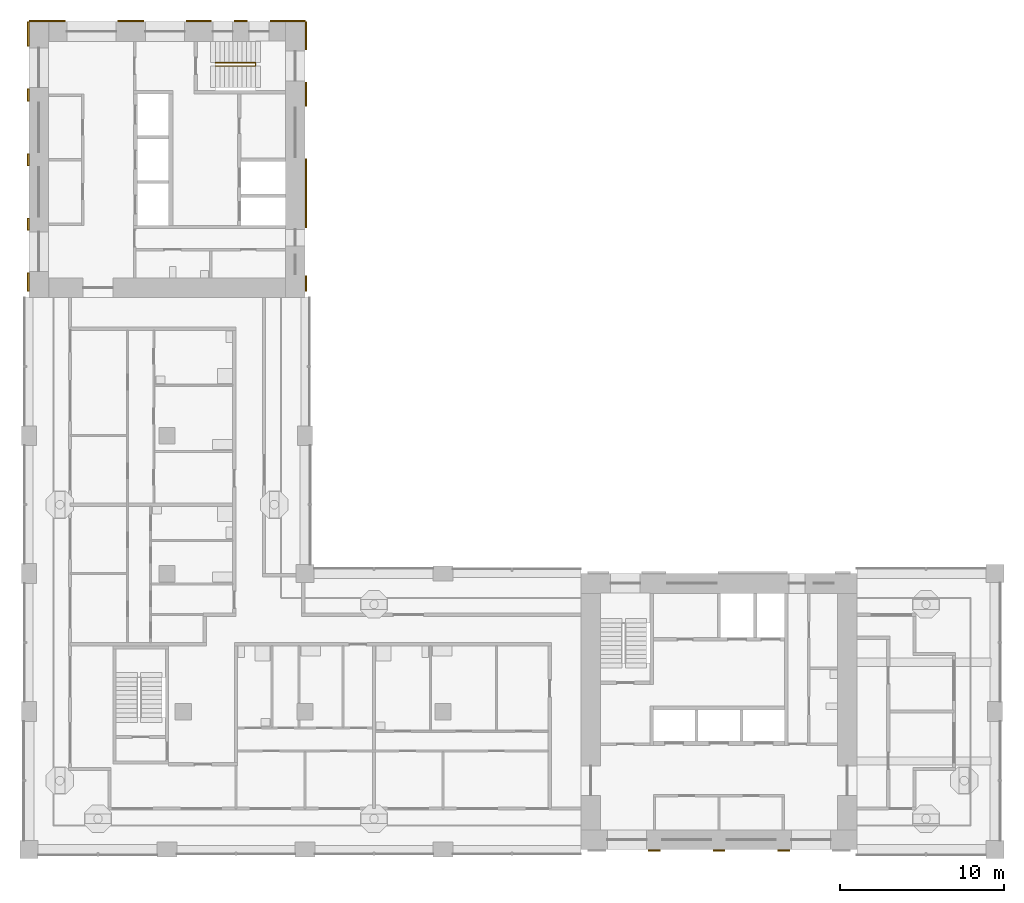
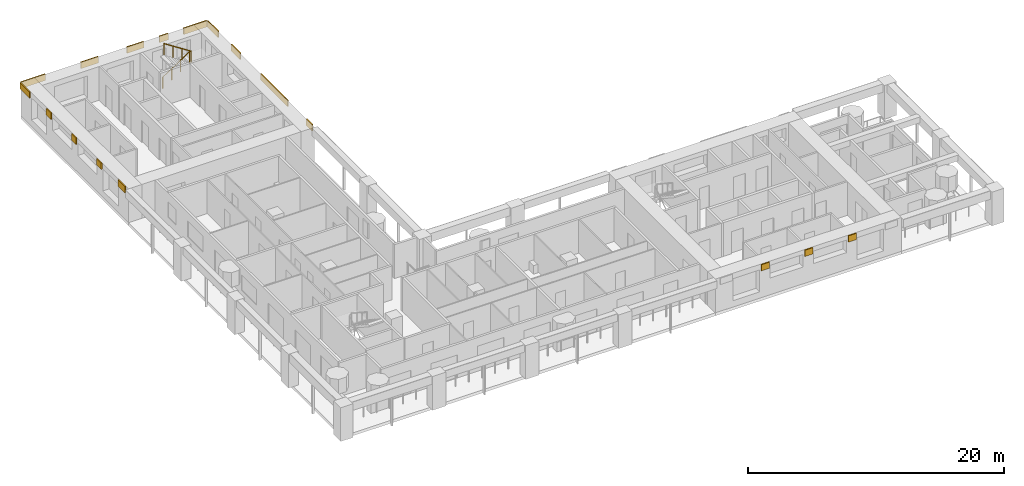
# One storey, part 10 of 13: 17 shading devices, 1 railing.
"""IFC4 building model written with IfcOpenShell, lengths in metres."""

from ifc_helpers import new_model, si_unit, direction, frame, origin, origin_2d, place, context, subcontext, project, spatial, rectangle, circle, extrude, material, layer, layer_set, type_object, element, save


model = new_model("IFC4")

# Units and contexts
model_context = context("Model", 3, precision=1e-05, world=origin(), true_north=direction((0.0, 1.0)))
body_context = subcontext(model_context, "Body", "Model", "MODEL_VIEW")
ifc_project = project(units=[si_unit("LENGTHUNIT", "METRE"), si_unit("AREAUNIT", "SQUARE_METRE"), si_unit("VOLUMEUNIT", "CUBIC_METRE"), si_unit("PLANEANGLEUNIT", "RADIAN"), si_unit("MASSUNIT", "GRAM", prefix="KILO")], contexts=[model_context])

# Site, building, storey
site_placement = place(None, origin())
site = spatial("IfcSite", under=ifc_project, at=site_placement, CompositionType="ELEMENT")
building_placement = place(site_placement, origin())
building = spatial("IfcBuilding", under=site, at=building_placement, Name="Vermilion Gate Residences", CompositionType="ELEMENT")
storey_placement = place(building_placement, frame((0.0, 0.0, 179.199951171875)))
storey = spatial("IfcBuildingStorey", under=building, at=storey_placement, Name="L46", CompositionType="ELEMENT", Elevation=179.199951171875)

# Railing
ifc_material_1 = material(Name="Steel S355", Category="steel")
railing_type = type_object("IfcRailingType", Name="STAIR GUARD 1100 STEEL", PredefinedType="GUARDRAIL", material=ifc_material_1)
railing_placement = place(storey_placement, frame((19.75, 56.300048828125, 0.175048828125)))
element("IfcRailing", 1, at=railing_placement, inside=storey, type_object=railing_type, Name="Stair well guard STB1-46", PredefinedType="GUARDRAIL", context=body_context, shape_type="SweptSolid", body=[
    extrude(circle(Radius=0.02392578125, at=origin_2d()), frame((0.0, 0.0, 1.076171875), z_axis=(0.839153699163, 0.0, 0.543894354798), x_axis=(0.0, 1.0, 0.0)), (0.0, 0.0, 1.0), 2.895751953125),
    extrude(circle(Radius=0.02392578125, at=origin_2d()), frame((2.429931640625, 0.0, 2.65087890625), z_axis=(0.0, -0.752405939678, 0.658699705433), x_axis=(1.0, 0.0, 0.0)), (0.0, 0.0, 1.0), 0.265869140625),
    extrude(circle(Radius=0.02392578125, at=origin_2d()), frame((2.429931640625, -0.199951171875, 2.826171875), z_axis=(-0.839153699163, 0.0, 0.543894354798), x_axis=(0.0, -1.0, 0.0)), (0.0, 0.0, 1.0), 2.895751953125),
    extrude(circle(Radius=0.02099609375, at=origin_2d()), origin(), (0.0, 0.0, 1.0), 1.052001953125),
    extrude(circle(Radius=0.02099609375, at=origin_2d()), frame((0.81005859375, 0.0, 0.52490234375)), (0.0, 0.0, 1.0), 1.052001953125),
    extrude(circle(Radius=0.02099609375, at=origin_2d()), frame((1.619873046875, 0.0, 1.050048828125)), (0.0, 0.0, 1.0), 1.052001953125),
    extrude(circle(Radius=0.02099609375, at=origin_2d()), frame((2.429931640625, 0.0, 1.574951171875)), (0.0, 0.0, 1.0), 1.052001953125),
    extrude(circle(Radius=0.02099609375, at=origin_2d()), frame((2.429931640625, -0.199951171875, 1.75)), (0.0, 0.0, 1.0), 1.052001953125),
    extrude(circle(Radius=0.02099609375, at=origin_2d()), frame((1.619873046875, -0.199951171875, 2.27490234375)), (0.0, 0.0, 1.0), 1.052001953125),
    extrude(circle(Radius=0.02099609375, at=origin_2d()), frame((0.81005859375, -0.199951171875, 2.800048828125)), (0.0, 0.0, 1.0), 1.052001953125),
    extrude(circle(Radius=0.02099609375, at=origin_2d()), frame((0.0, -0.199951171875, 3.324951171875)), (0.0, 0.0, 1.0), 1.052001953125),
])

# Shading devices
ifc_material_2 = material(Name="Extruded terracotta", Category="masonry")
ifc_layer = layer(ifc_material_2, 0.10009765625)
ifc_layer_set = layer_set([ifc_layer], Name="TERRACOTTA SPANDREL BAND 600 X 100")
shading_device_type = type_object("IfcShadingDeviceType", Name="TERRACOTTA SPANDREL BAND 600 X 100", PredefinedType="USERDEFINED", material=ifc_layer_set)
shading_device_1_placement = place(storey_placement, frame((46.46875, 8.35009765625, 2.6201171875), z_axis=(0.0, 0.0, 1.0), x_axis=(1.0, 0.0, 0.0)))
element("IfcShadingDevice", 2, at=shading_device_1_placement, inside=storey, type_object=shading_device_type, Name="SPANDREL BAND", ObjectType="BAND", PredefinedType="USERDEFINED", context=body_context, shape_type="SweptSolid", body=[
    extrude(rectangle(XDim=0.737548828125, YDim=0.10009765625, at=origin_2d()), origin(), (0.0, 0.0, 1.0), 0.60009765625),
])
shading_device_2_placement = place(storey_placement, frame((50.39990234375, 8.35009765625, 2.6201171875), z_axis=(0.0, 0.0, 1.0), x_axis=(1.0, 0.0, 0.0)))
element("IfcShadingDevice", 3, at=shading_device_2_placement, inside=storey, type_object=shading_device_type, Name="SPANDREL BAND", ObjectType="BAND", PredefinedType="USERDEFINED", context=body_context, shape_type="SweptSolid", body=[
    extrude(rectangle(XDim=0.72509765625, YDim=0.10009765625, at=origin_2d()), origin(), (0.0, 0.0, 1.0), 0.60009765625),
])
shading_device_3_placement = place(storey_placement, frame((54.331298828125, 8.35009765625, 2.6201171875), z_axis=(0.0, 0.0, 1.0), x_axis=(1.0, 0.0, 0.0)))
element("IfcShadingDevice", 4, at=shading_device_3_placement, inside=storey, type_object=shading_device_type, Name="SPANDREL BAND", ObjectType="BAND", PredefinedType="USERDEFINED", context=body_context, shape_type="SweptSolid", body=[
    extrude(rectangle(XDim=0.737548828125, YDim=0.10009765625, at=origin_2d()), origin(), (0.0, 0.0, 1.0), 0.60009765625),
])
shading_device_4_placement = place(storey_placement, frame((9.50244140625, 58.85009765625, 2.6201171875), z_axis=(0.0, 0.0, 1.0), x_axis=(1.0, 0.0, 0.0)))
element("IfcShadingDevice", 5, at=shading_device_4_placement, inside=storey, type_object=shading_device_type, Name="SPANDREL BAND", ObjectType="BAND", PredefinedType="USERDEFINED", context=body_context, shape_type="SweptSolid", body=[
    extrude(rectangle(XDim=2.205078125, YDim=0.10009765625, at=origin_2d()), origin(), (0.0, 0.0, 1.0), 0.60009765625),
])
shading_device_5_placement = place(storey_placement, frame((14.590087890625, 58.85009765625, 2.6201171875), z_axis=(0.0, 0.0, 1.0), x_axis=(1.0, 0.0, 0.0)))
element("IfcShadingDevice", 6, at=shading_device_5_placement, inside=storey, type_object=shading_device_type, Name="SPANDREL BAND", ObjectType="BAND", PredefinedType="USERDEFINED", context=body_context, shape_type="SweptSolid", body=[
    extrude(rectangle(XDim=1.570068359375, YDim=0.10009765625, at=origin_2d()), origin(), (0.0, 0.0, 1.0), 0.60009765625),
])
shading_device_6_placement = place(storey_placement, frame((18.734130859375, 58.85009765625, 2.6201171875), z_axis=(0.0, 0.0, 1.0), x_axis=(1.0, 0.0, 0.0)))
element("IfcShadingDevice", 7, at=shading_device_6_placement, inside=storey, type_object=shading_device_type, Name="SPANDREL BAND", ObjectType="BAND", PredefinedType="USERDEFINED", context=body_context, shape_type="SweptSolid", body=[
    extrude(rectangle(XDim=1.518310546875, YDim=0.10009765625, at=origin_2d()), origin(), (0.0, 0.0, 1.0), 0.60009765625),
])
shading_device_7_placement = place(storey_placement, frame((21.294921875, 58.85009765625, 2.6201171875), z_axis=(0.0, 0.0, 1.0), x_axis=(1.0, 0.0, 0.0)))
element("IfcShadingDevice", 8, at=shading_device_7_placement, inside=storey, type_object=shading_device_type, Name="SPANDREL BAND", ObjectType="BAND", PredefinedType="USERDEFINED", context=body_context, shape_type="SweptSolid", body=[
    extrude(rectangle(XDim=0.803466796875, YDim=0.10009765625, at=origin_2d()), origin(), (0.0, 0.0, 1.0), 0.60009765625),
])
shading_device_8_placement = place(storey_placement, frame((24.1484375, 58.85009765625, 2.6201171875), z_axis=(0.0, 0.0, 1.0), x_axis=(1.0, 0.0, 0.0)))
element("IfcShadingDevice", 9, at=shading_device_8_placement, inside=storey, type_object=shading_device_type, Name="SPANDREL BAND", ObjectType="BAND", PredefinedType="USERDEFINED", context=body_context, shape_type="SweptSolid", body=[
    extrude(rectangle(XDim=2.103271484375, YDim=0.10009765625, at=origin_2d()), origin(), (0.0, 0.0, 1.0), 0.60009765625),
])
shading_device_9_placement = place(storey_placement, frame((8.35009765625, 42.949951171875, 2.6201171875), z_axis=(0.0, 0.0, 1.0), x_axis=(0.0, 1.0, 0.0)))
element("IfcShadingDevice", 10, at=shading_device_9_placement, inside=storey, type_object=shading_device_type, Name="SPANDREL BAND", ObjectType="BAND", PredefinedType="USERDEFINED", context=body_context, shape_type="SweptSolid", body=[
    extrude(rectangle(XDim=1.10009765625, YDim=0.10009765625, at=origin_2d()), origin(), (0.0, 0.0, 1.0), 0.60009765625),
])
shading_device_10_placement = place(storey_placement, frame((8.35009765625, 46.46875, 2.6201171875), z_axis=(0.0, 0.0, 1.0), x_axis=(0.0, 1.0, 0.0)))
element("IfcShadingDevice", 11, at=shading_device_10_placement, inside=storey, type_object=shading_device_type, Name="SPANDREL BAND", ObjectType="BAND", PredefinedType="USERDEFINED", context=body_context, shape_type="SweptSolid", body=[
    extrude(rectangle(XDim=0.737548828125, YDim=0.10009765625, at=origin_2d()), origin(), (0.0, 0.0, 1.0), 0.60009765625),
])
shading_device_11_placement = place(storey_placement, frame((8.35009765625, 50.39990234375, 2.6201171875), z_axis=(0.0, 0.0, 1.0), x_axis=(0.0, 1.0, 0.0)))
element("IfcShadingDevice", 12, at=shading_device_11_placement, inside=storey, type_object=shading_device_type, Name="SPANDREL BAND", ObjectType="BAND", PredefinedType="USERDEFINED", context=body_context, shape_type="SweptSolid", body=[
    extrude(rectangle(XDim=0.72509765625, YDim=0.10009765625, at=origin_2d()), origin(), (0.0, 0.0, 1.0), 0.60009765625),
])
shading_device_12_placement = place(storey_placement, frame((8.35009765625, 54.331298828125, 2.6201171875), z_axis=(0.0, 0.0, 1.0), x_axis=(0.0, 1.0, 0.0)))
element("IfcShadingDevice", 13, at=shading_device_12_placement, inside=storey, type_object=shading_device_type, Name="SPANDREL BAND", ObjectType="BAND", PredefinedType="USERDEFINED", context=body_context, shape_type="SweptSolid", body=[
    extrude(rectangle(XDim=0.737548828125, YDim=0.10009765625, at=origin_2d()), origin(), (0.0, 0.0, 1.0), 0.60009765625),
])
shading_device_13_placement = place(storey_placement, frame((8.35009765625, 58.050048828125, 2.6201171875), z_axis=(0.0, 0.0, 1.0), x_axis=(0.0, 1.0, 0.0)))
element("IfcShadingDevice", 14, at=shading_device_13_placement, inside=storey, type_object=shading_device_type, Name="SPANDREL BAND", ObjectType="BAND", PredefinedType="USERDEFINED", context=body_context, shape_type="SweptSolid", body=[
    extrude(rectangle(XDim=1.5, YDim=0.10009765625, at=origin_2d()), origin(), (0.0, 0.0, 1.0), 0.60009765625),
])
shading_device_14_placement = place(storey_placement, frame((25.25, 42.862548828125, 2.6201171875), z_axis=(0.0, 0.0, 1.0), x_axis=(0.0, 1.0, 0.0)))
element("IfcShadingDevice", 15, at=shading_device_14_placement, inside=storey, type_object=shading_device_type, Name="SPANDREL BAND", ObjectType="BAND", PredefinedType="USERDEFINED", context=body_context, shape_type="SweptSolid", body=[
    extrude(rectangle(XDim=0.925048828125, YDim=0.10009765625, at=origin_2d()), origin(), (0.0, 0.0, 1.0), 0.60009765625),
])
shading_device_15_placement = place(storey_placement, frame((25.25, 48.35009765625, 2.6201171875), z_axis=(0.0, 0.0, 1.0), x_axis=(0.0, 1.0, 0.0)))
element("IfcShadingDevice", 16, at=shading_device_15_placement, inside=storey, type_object=shading_device_type, Name="SPANDREL BAND", ObjectType="BAND", PredefinedType="USERDEFINED", context=body_context, shape_type="SweptSolid", body=[
    extrude(rectangle(XDim=4.199951171875, YDim=0.10009765625, at=origin_2d()), origin(), (0.0, 0.0, 1.0), 0.60009765625),
])
shading_device_16_placement = place(storey_placement, frame((25.25, 54.375, 2.6201171875), z_axis=(0.0, 0.0, 1.0), x_axis=(0.0, 1.0, 0.0)))
element("IfcShadingDevice", 17, at=shading_device_16_placement, inside=storey, type_object=shading_device_type, Name="SPANDREL BAND", ObjectType="BAND", PredefinedType="USERDEFINED", context=body_context, shape_type="SweptSolid", body=[
    extrude(rectangle(XDim=1.449951171875, YDim=0.10009765625, at=origin_2d()), origin(), (0.0, 0.0, 1.0), 0.60009765625),
])
shading_device_17_placement = place(storey_placement, frame((25.25, 57.949951171875, 2.6201171875), z_axis=(0.0, 0.0, 1.0), x_axis=(0.0, 1.0, 0.0)))
element("IfcShadingDevice", 18, at=shading_device_17_placement, inside=storey, type_object=shading_device_type, Name="SPANDREL BAND", ObjectType="BAND", PredefinedType="USERDEFINED", context=body_context, shape_type="SweptSolid", body=[
    extrude(rectangle(XDim=1.699951171875, YDim=0.10009765625, at=origin_2d()), origin(), (0.0, 0.0, 1.0), 0.60009765625),
])

save(model, "model.ifc")
